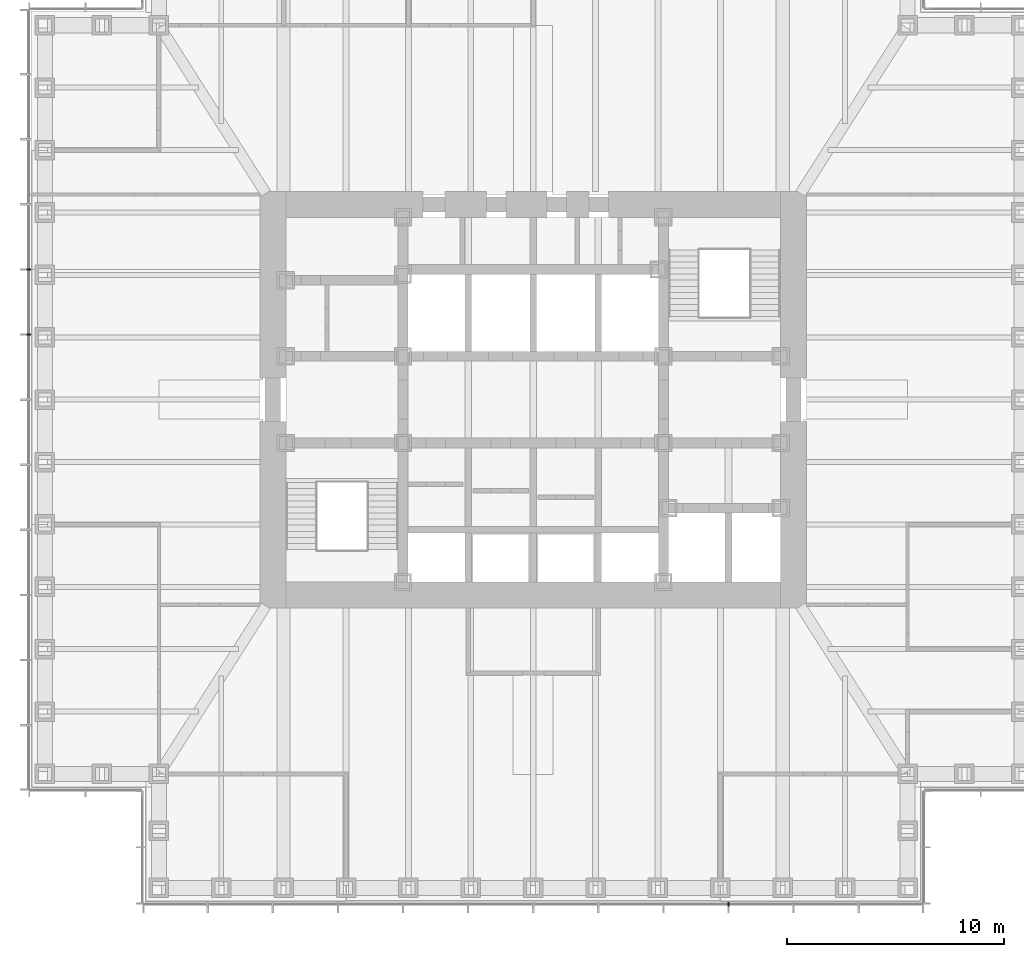
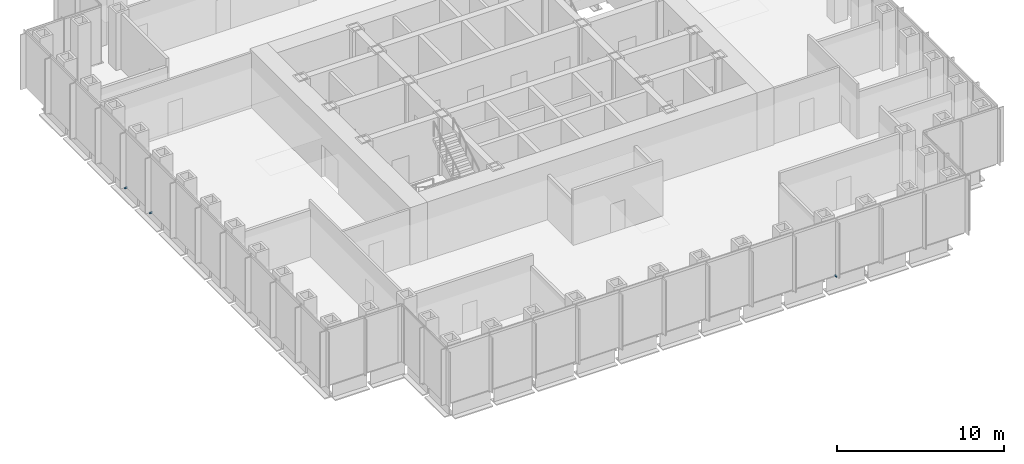
# One storey, part 12 of 16: 3 discrete accessories.
"""IFC4 building model written with IfcOpenShell, lengths in metres."""

from ifc_helpers import new_model, si_unit, direction, frame, origin, origin_2d, place, context, subcontext, project, spatial, rectangle, extrude, element, save


model = new_model("IFC4")

# Units and contexts
model_context = context("Model", 3, precision=1e-05, world=origin(), true_north=direction((0.0, 1.0)))
body_context = subcontext(model_context, "Body", "Model", "MODEL_VIEW")
ifc_project = project(units=[si_unit("LENGTHUNIT", "METRE"), si_unit("AREAUNIT", "SQUARE_METRE"), si_unit("VOLUMEUNIT", "CUBIC_METRE"), si_unit("PLANEANGLEUNIT", "RADIAN"), si_unit("MASSUNIT", "GRAM", prefix="KILO")], contexts=[model_context])

# Site, building, storey
site_placement = place(None, origin())
site = spatial("IfcSite", under=ifc_project, at=site_placement, CompositionType="ELEMENT")
building_placement = place(site_placement, origin())
building = spatial("IfcBuilding", under=site, at=building_placement, Name="Daluyong Arena Tower", CompositionType="ELEMENT")
storey_placement = place(building_placement, frame((0.0, 0.0, 137.5)))
storey = spatial("IfcBuildingStorey", under=building, at=storey_placement, Name="L30", CompositionType="ELEMENT", Elevation=137.5)

# Discrete accessories
for number, where, z_axis, x_axis, name in (
    (1, (65.0, 56.75, -0.10009765625), (0.0, 0.0, 1.0), (1.0, 0.0, 0.0), "curtain wall L30 S anchor bracket 10"),
    (2, (32.75, 86.0, -0.10009765625), (0.0, 0.0, 1.0), (0.0, -1.0, 0.0), "curtain wall L30 W anchor bracket 5"),
    (3, (32.75, 83.0, -0.10009765625), (0.0, 0.0, 1.0), (0.0, -1.0, 0.0), "curtain wall L30 W anchor bracket 6"),
):
    element("IfcDiscreteAccessory", number, at=place(storey_placement, frame(where, z_axis=z_axis, x_axis=x_axis)), inside=storey, Name=name, PredefinedType="BRACKET", context=body_context, shape_type="SweptSolid", body=[
        extrude(rectangle(XDim=0.080078125, YDim=0.199951171875, at=origin_2d()), origin(), (0.0, 0.0, 1.0), 0.10009765625),
    ])

save(model, "model.ifc")
